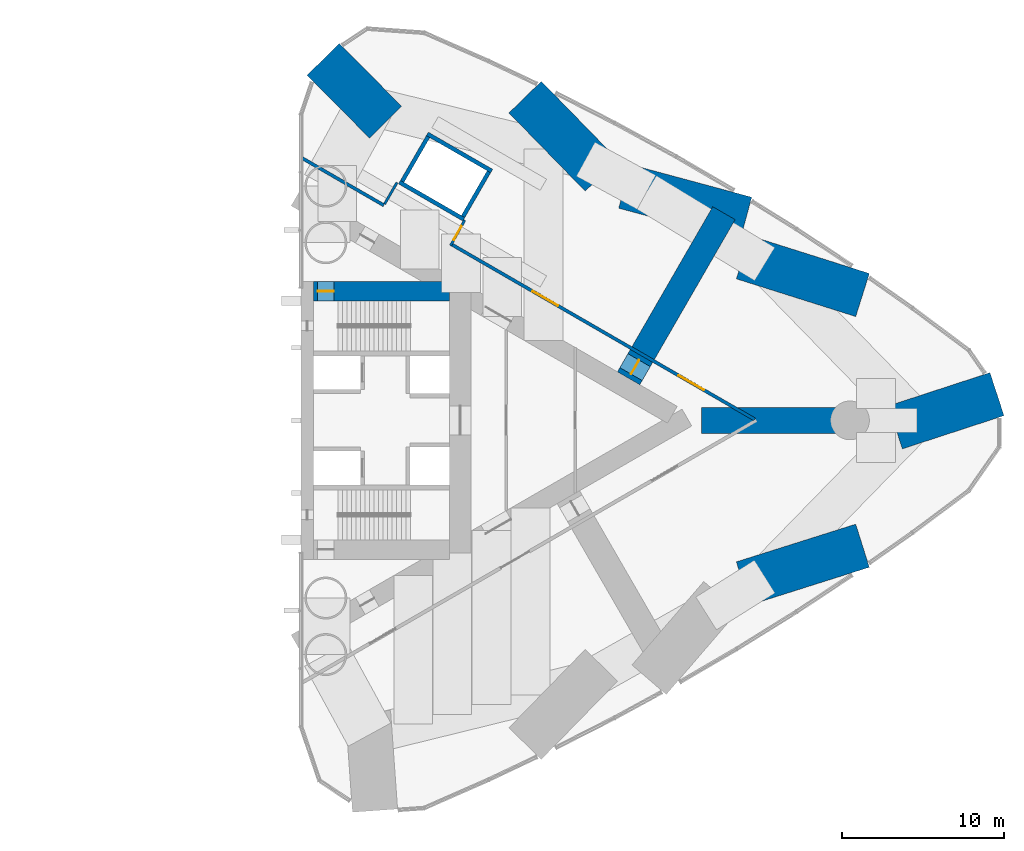
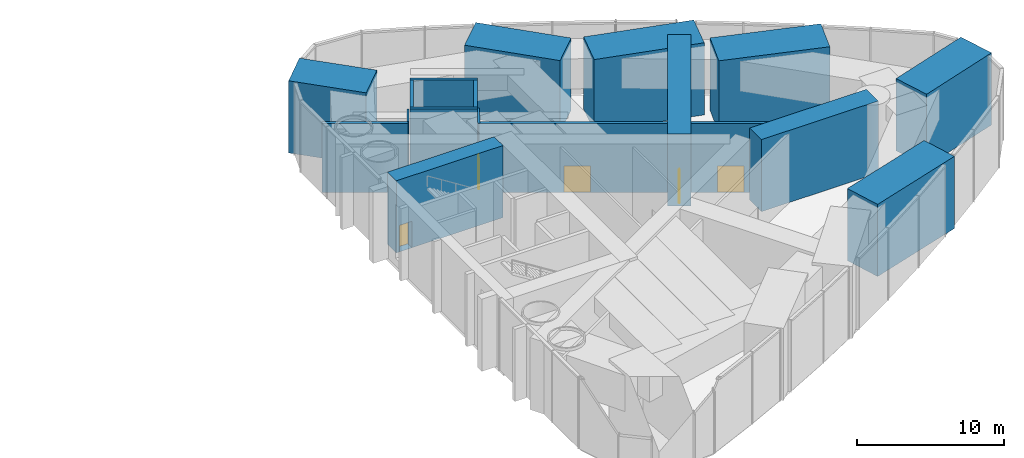
# One storey, part 14 of 16: 17 walls, 5 doors, 5 openings.
"""IFC4 building model written with IfcOpenShell, lengths in metres."""

from ifc_helpers import new_model, si_unit, direction, frame, frame_2d, origin, place, context, subcontext, project, spatial, rectangle, extrude, material, layer, layer_set, type_object, element, fill, save


model = new_model("IFC4")

# Units and contexts
model_context = context("Model", 3, precision=1e-05, world=origin(), true_north=direction((0.0, 1.0)))
body_context = subcontext(model_context, "Body", "Model", "MODEL_VIEW")
ifc_project = project(units=[si_unit("LENGTHUNIT", "METRE"), si_unit("AREAUNIT", "SQUARE_METRE"), si_unit("VOLUMEUNIT", "CUBIC_METRE"), si_unit("PLANEANGLEUNIT", "RADIAN"), si_unit("MASSUNIT", "GRAM", prefix="KILO")], contexts=[model_context])

# Site, building, storey
site_placement = place(None, origin())
site = spatial("IfcSite", under=ifc_project, at=site_placement, CompositionType="ELEMENT")
building_placement = place(site_placement, origin())
building = spatial("IfcBuilding", under=site, at=building_placement, Name="Lancet Gate Hotel", CompositionType="ELEMENT")
storey_placement = place(building_placement, frame((0.0, 0.0, 146.699951171875)))
storey = spatial("IfcBuildingStorey", under=building, at=storey_placement, Name="L39", CompositionType="ELEMENT", Elevation=146.699951171875)

# Wall, opening, door
ifc_material_1 = material(Name="Concrete C70/85", Category="concrete")
ifc_layer_1 = layer(ifc_material_1, 1.199951171875)
ifc_layer_set_1 = layer_set([ifc_layer_1], Name="Core wall 1200")
wall_type_1 = type_object("IfcWallType", Name="Core wall 1200", PredefinedType="SHEAR", material=ifc_layer_set_1)
wall_1_placement = place(storey_placement, frame((28.300048828125, 8.0, 0.0), z_axis=(0.0, 0.0, 1.0), x_axis=(1.0, 0.0, 0.0)))
wall_1 = element("IfcWall", 1, at=wall_1_placement, inside=storey, type_object=wall_type_1, Name="T2 core wall side-N L39", PredefinedType="SHEAR", context=body_context, shape_type="SweptSolid", body=[
    extrude(rectangle(XDim=8.39990234375, YDim=1.199951171875, at=frame_2d((4.199951171875, 0.0))), origin(), (0.0, 0.0, 1.0), 6.0),
])
opening_1_placement = place(wall_1_placement, frame((0.25, 0.0, 0.0)))
opening_1 = element("IfcOpeningElement", 2, at=opening_1_placement, cuts=wall_1, Name="Opening T2-L39-ST2", PredefinedType="OPENING", context=body_context, shape_type="SweptSolid", body=[
    extrude(rectangle(XDim=1.0, YDim=2.199951171875, at=frame_2d((0.5, 1.10009765625))), frame((0.0, 0.60986328125, 0.0), z_axis=(0.0, -1.0, 0.0), x_axis=(1.0, 0.0, 0.0)), (0.0, 0.0, 1.0), 1.219970703125),
])
ifc_material_2 = material(Name="Timber door set", Category="wood")
door_type_1 = type_object("IfcDoorType", Name="Stair door 1000", OperationType="SINGLE_SWING_RIGHT", PredefinedType="DOOR", material=ifc_material_2)
door_1_placement = place(opening_1_placement, origin())
door_1 = element("IfcDoor", 3, at=door_1_placement, inside=storey, type_object=door_type_1, Name="T2-L39-ST2", OperationType="SINGLE_SWING_RIGHT", OverallHeight=2.199951171875, OverallWidth=1.0, PredefinedType="DOOR", context=body_context, shape_type="SweptSolid", body=[
    extrude(rectangle(XDim=1.0, YDim=2.199951171875, at=frame_2d((0.5, 1.10009765625))), frame((0.0, 0.02490234375, 0.0), z_axis=(0.0, -1.0, 0.0), x_axis=(1.0, 0.0, 0.0)), (0.0, 0.0, 1.0), 0.050048828125),
])
fill(opening_1, door_1)

# Wall
ifc_material_3 = material(Name="Gypsum board partition")
ifc_layer_2 = layer(ifc_material_3, 0.199951171875)
ifc_layer_set_2 = layer_set([ifc_layer_2], Name="Corridor wall 200")
wall_type_2 = type_object("IfcWallType", Name="Corridor wall 200", PredefinedType="PARTITIONING", material=ifc_layer_set_2)
wall_2_placement = place(storey_placement, frame((27.572021484375, 16.240966796875, 0.0), z_axis=(0.0, 0.0, 1.0), x_axis=(0.866032814021, -0.499987164874, 0.0)))
element("IfcWall", 4, at=wall_2_placement, inside=storey, type_object=wall_type_2, Name="T2 corridor wall 200 L39", PredefinedType="PARTITIONING", context=body_context, shape_type="SweptSolid", body=[
    extrude(rectangle(XDim=5.854736328125, YDim=0.199951171875, at=frame_2d((2.92724609375, 0.0))), origin(), (0.0, 0.0, 1.0), 5.75),
])

# Wall, openings, doors
wall_3_placement = place(storey_placement, frame((36.833984375, 10.8935546875, 0.0), z_axis=(0.0, 0.0, 1.0), x_axis=(0.866028157229, -0.499995230863, 0.0)))
wall_3 = element("IfcWall", 5, at=wall_3_placement, inside=storey, type_object=wall_type_2, Name="T2 corridor wall 200 L39", PredefinedType="PARTITIONING", context=body_context, shape_type="SweptSolid", body=[
    extrude(rectangle(XDim=21.667236328125, YDim=0.199951171875, at=frame_2d((10.83349609375, 0.0))), origin(), (0.0, 0.0, 1.0), 5.75),
])
opening_2_placement = place(wall_3_placement, frame((16.236083984375, 0.0, 0.0)))
opening_2 = element("IfcOpeningElement", 6, at=opening_2_placement, cuts=wall_3, Name="Opening T2-L39-RB06", PredefinedType="OPENING", context=body_context, shape_type="SweptSolid", body=[
    extrude(rectangle(XDim=1.800048828125, YDim=2.199951171875, at=frame_2d((0.89990234375, 1.10009765625))), frame((0.0, 0.10986328125, 0.0), z_axis=(0.0, -1.0, 0.0), x_axis=(1.0, 0.0, 0.0)), (0.0, 0.0, 1.0), 0.219970703125),
])
opening_3_placement = place(wall_3_placement, frame((5.796142578125, 0.0, 0.0)))
opening_3 = element("IfcOpeningElement", 7, at=opening_3_placement, cuts=wall_3, Name="Opening T2-L39-RB07", PredefinedType="OPENING", context=body_context, shape_type="SweptSolid", body=[
    extrude(rectangle(XDim=1.800048828125, YDim=2.199951171875, at=frame_2d((0.89990234375, 1.10009765625))), frame((0.0, 0.10986328125, 0.0), z_axis=(0.0, -1.0, 0.0), x_axis=(1.0, 0.0, 0.0)), (0.0, 0.0, 1.0), 0.219970703125),
])
ifc_material_4 = material(Name="Timber door set", Category="wood")
door_type_2 = type_object("IfcDoorType", Name="Double door 1800", OperationType="DOUBLE_DOOR_SINGLE_SWING", PredefinedType="DOOR", material=ifc_material_4)
door_2_placement = place(opening_2_placement, origin())
door_2 = element("IfcDoor", 8, at=door_2_placement, inside=storey, type_object=door_type_2, Name="T2-L39-RB06", OperationType="DOUBLE_DOOR_SINGLE_SWING", OverallHeight=2.199951171875, OverallWidth=1.800048828125, PredefinedType="DOOR", context=body_context, shape_type="SweptSolid", body=[
    extrude(rectangle(XDim=1.800048828125, YDim=2.199951171875, at=frame_2d((0.89990234375, 1.10009765625))), frame((0.0, 0.02490234375, 0.0), z_axis=(0.0, -1.0, 0.0), x_axis=(1.0, 0.0, 0.0)), (0.0, 0.0, 1.0), 0.050048828125),
])
fill(opening_2, door_2)
door_3_placement = place(opening_3_placement, origin())
door_3 = element("IfcDoor", 9, at=door_3_placement, inside=storey, type_object=door_type_2, Name="T2-L39-RB07", OperationType="DOUBLE_DOOR_SINGLE_SWING", OverallHeight=2.199951171875, OverallWidth=1.800048828125, PredefinedType="DOOR", context=body_context, shape_type="SweptSolid", body=[
    extrude(rectangle(XDim=1.800048828125, YDim=2.199951171875, at=frame_2d((0.89990234375, 1.10009765625))), frame((0.0, 0.02490234375, 0.0), z_axis=(0.0, -1.0, 0.0), x_axis=(1.0, 0.0, 0.0)), (0.0, 0.0, 1.0), 0.050048828125),
])
fill(opening_3, door_3)

# Walls
ifc_material_5 = material(Name="Gypsum board partition")
ifc_layer_3 = layer(ifc_material_5, 0.25)
ifc_layer_set_3 = layer_set([ifc_layer_3], Name="Lift shaft partition 250")
wall_type_3 = type_object("IfcWallType", Name="Lift shaft partition 250", PredefinedType="PARTITIONING", material=ifc_layer_set_3)
for number, where, z_axis, x_axis, name in (
    (10, (33.6083984375, 14.747314453125, 0.0), (0.0, 0.0, 1.0), (0.866043305498, -0.49996899204, 0.0), "T2 lift shaft wall EX L39"),
    (11, (35.33349609375, 17.73583984375, 0.0), (0.0, 0.0, 1.0), (0.866043305498, -0.49996899204, 0.0), "T2 lift shaft wall EX L39"),
):
    element("IfcWall", number, at=place(storey_placement, frame(where, z_axis=z_axis, x_axis=x_axis)), inside=storey, type_object=wall_type_3, Name=name, PredefinedType="PARTITIONING", context=body_context, shape_type="SweptSolid", body=[
        extrude(rectangle(XDim=4.600341796875, YDim=0.25, at=frame_2d((2.30029296875, 0.0))), origin(), (0.0, 0.0, 1.0), 5.75),
    ])
for number, where, z_axis, x_axis, name in (
    (12, (33.779296875, 14.79296875, 0.0), (0.0, 0.0, 1.0), (0.499929347863, 0.866066190972, 0.0), "T2 lift shaft wall EX L39"),
    (13, (37.546630859375, 12.617919921875, 0.0), (0.0, 0.0, 1.0), (0.499929347863, 0.866066190972, 0.0), "T2 lift shaft wall EX L39"),
):
    element("IfcWall", number, at=place(storey_placement, frame(where, z_axis=z_axis, x_axis=x_axis)), inside=storey, type_object=wall_type_3, Name=name, PredefinedType="PARTITIONING", context=body_context, shape_type="SweptSolid", body=[
        extrude(rectangle(XDim=3.20068359375, YDim=0.25, at=frame_2d((1.600341796875, 0.0))), origin(), (0.0, 0.0, 1.0), 5.75),
    ])
ifc_material_6 = material(Name="Concrete C80/95", Category="concrete")
ifc_layer_4 = layer(ifc_material_6, 1.60009765625)
ifc_layer_set_4 = layer_set([ifc_layer_4], Name="Outrigger wall 1600")
wall_type_4 = type_object("IfcWallType", Name="Outrigger wall 1600", PredefinedType="SHEAR", material=ifc_layer_set_4)
wall_4_placement = place(storey_placement, frame((52.30224609375, 0.0, 0.0), z_axis=(0.0, 0.0, 1.0), x_axis=(1.0, 0.0, 0.0)))
element("IfcWall", 14, at=wall_4_placement, inside=storey, type_object=wall_type_4, Name="T2 outrigger wall CA L39", PredefinedType="SHEAR", context=body_context, shape_type="SweptSolid", body=[
    extrude(rectangle(XDim=9.19775390625, YDim=1.60009765625, at=frame_2d((4.598876953125, 0.0))), origin(), (0.0, 0.0, 1.0), 6.0),
])

# Wall, opening, door
wall_5_placement = place(storey_placement, frame((47.7939453125, 2.602783203125, 0.0), z_axis=(0.0, 0.0, 1.0), x_axis=(0.499993342329, 0.866029247559, 0.0)))
wall_5 = element("IfcWall", 15, at=wall_5_placement, inside=storey, type_object=wall_type_4, Name="T2 outrigger wall ON2 L39", PredefinedType="SHEAR", context=body_context, shape_type="SweptSolid", body=[
    extrude(rectangle(XDim=11.806396484375, YDim=1.60009765625, at=frame_2d((5.9033203125, 0.0))), origin(), (0.0, 0.0, 1.0), 6.0),
])
opening_4_placement = place(wall_5_placement, frame((0.300048828125, 0.0, 0.0)))
opening_4 = element("IfcOpeningElement", 16, at=opening_4_placement, cuts=wall_5, Name="Opening T2-L39-LNO", PredefinedType="OPENING", context=body_context, shape_type="SweptSolid", body=[
    extrude(rectangle(XDim=1.0, YDim=2.199951171875, at=frame_2d((0.5, 1.10009765625))), frame((0.0, 0.81005859375, 0.0), z_axis=(0.0, -1.0, 0.0), x_axis=(1.0, 0.0, 0.0)), (0.0, 0.0, 1.0), 1.6201171875),
])
ifc_material_7 = material(Name="Timber door set", Category="wood")
door_type_3 = type_object("IfcDoorType", Name="Corridor door 1000", OperationType="SINGLE_SWING_LEFT", PredefinedType="DOOR", material=ifc_material_7)
door_4_placement = place(opening_4_placement, origin())
door_4 = element("IfcDoor", 17, at=door_4_placement, inside=storey, type_object=door_type_3, Name="T2-L39-LNO", OperationType="SINGLE_SWING_LEFT", OverallHeight=2.199951171875, OverallWidth=1.0, PredefinedType="DOOR", context=body_context, shape_type="SweptSolid", body=[
    extrude(rectangle(XDim=1.0, YDim=2.199951171875, at=frame_2d((0.5, 1.10009765625))), frame((0.0, 0.02490234375, 0.0), z_axis=(0.0, -1.0, 0.0), x_axis=(1.0, 0.0, 0.0)), (0.0, 0.0, 1.0), 0.050048828125),
])
fill(opening_4, door_4)

# Walls
ifc_material_8 = material(Name="Concrete C80/95", Category="concrete")
ifc_layer_5 = layer(ifc_material_8, 2.800048828125)
ifc_layer_set_5 = layer_set([ifc_layer_5], Name="Radial transfer wall 2800")
wall_type_5 = type_object("IfcWallType", Name="Radial transfer wall 2800", PredefinedType="SHEAR", material=ifc_layer_set_5)
wall_6_placement = place(storey_placement, frame((70.599609375, 1.62158203125, 0.0), z_axis=(0.0, 0.0, 1.0), x_axis=(-0.95049343947, -0.31074462429, 0.0)))
element("IfcWall", 18, at=wall_6_placement, inside=storey, type_object=wall_type_5, Name="T2 radial transfer wall CA L39", PredefinedType="SHEAR", context=body_context, shape_type="SweptSolid", body=[
    extrude(rectangle(XDim=6.618408203125, YDim=2.800048828125, at=frame_2d((3.30908203125, 0.0))), origin(), (0.0, 0.0, 1.0), 6.0),
])
wall_7_placement = place(storey_placement, frame((28.885009765625, 22.34814453125, 0.0), z_axis=(0.0, 0.0, 1.0), x_axis=(0.704941899097, -0.709265055461, 0.0)))
element("IfcWall", 19, at=wall_7_placement, inside=storey, type_object=wall_type_5, Name="T2 radial transfer wall CN L39", PredefinedType="SHEAR", context=body_context, shape_type="SweptSolid", body=[
    extrude(rectangle(XDim=5.477783203125, YDim=2.800048828125, at=frame_2d((2.73876953125, 0.0))), origin(), (0.0, 0.0, 1.0), 6.0),
])
wall_8_placement = place(storey_placement, frame((62.275634765625, 7.759521484375, 0.0), z_axis=(0.0, 0.0, 1.0), x_axis=(-0.953540281048, 0.30126555133, 0.0)))
element("IfcWall", 20, at=wall_8_placement, inside=storey, type_object=wall_type_5, Name="T2 radial transfer wall ON1 L39", PredefinedType="SHEAR", context=body_context, shape_type="SweptSolid", body=[
    extrude(rectangle(XDim=7.749755859375, YDim=2.800048828125, at=frame_2d((3.875, 0.0))), origin(), (0.0, 0.0, 1.0), 6.0),
])
wall_9_placement = place(storey_placement, frame((55.048828125, 12.463134765625, 0.0), z_axis=(0.0, 0.0, 1.0), x_axis=(-0.965562653174, 0.260170641686, 0.0)))
element("IfcWall", 21, at=wall_9_placement, inside=storey, type_object=wall_type_5, Name="T2 radial transfer wall ON2 L39", PredefinedType="SHEAR", context=body_context, shape_type="SweptSolid", body=[
    extrude(rectangle(XDim=7.770751953125, YDim=2.800048828125, at=frame_2d((3.88525390625, 0.0))), origin(), (0.0, 0.0, 1.0), 6.0),
])
wall_10_placement = place(storey_placement, frame((41.388916015625, 20.009521484375, 0.0), z_axis=(0.0, 0.0, 1.0), x_axis=(0.698062666637, -0.716036670463, 0.0)))
element("IfcWall", 22, at=wall_10_placement, inside=storey, type_object=wall_type_5, Name="T2 radial transfer wall ON3 L39", PredefinedType="SHEAR", context=body_context, shape_type="SweptSolid", body=[
    extrude(rectangle(XDim=6.764404296875, YDim=2.800048828125, at=frame_2d((3.38232421875, 0.0))), origin(), (0.0, 0.0, 1.0), 6.0),
])
wall_11_placement = place(storey_placement, frame((62.275634765625, -7.759521484375, 0.0), z_axis=(0.0, 0.0, 1.0), x_axis=(-0.953540281048, -0.30126555133, 0.0)))
element("IfcWall", 23, at=wall_11_placement, inside=storey, type_object=wall_type_5, Name="T2 radial transfer wall OS3 L39", PredefinedType="SHEAR", context=body_context, shape_type="SweptSolid", body=[
    extrude(rectangle(XDim=7.749755859375, YDim=2.800048828125, at=frame_2d((3.875, 0.0))), origin(), (0.0, 0.0, 1.0), 6.0),
])

# Wall, opening, door
ifc_material_9 = material(Name="Gypsum board partition")
ifc_layer_6 = layer(ifc_material_9, 0.14990234375)
ifc_layer_set_6 = layer_set([ifc_layer_6], Name="Service room wall 150")
wall_type_6 = type_object("IfcWallType", Name="Service room wall 150", PredefinedType="PARTITIONING", material=ifc_layer_set_6)
wall_12_placement = place(storey_placement, frame((36.77099609375, 10.814453125, 0.0), z_axis=(0.0, 0.0, 1.0), x_axis=(0.485585508183, 0.874189175317, 0.0)))
wall_12 = element("IfcWall", 24, at=wall_12_placement, inside=storey, type_object=wall_type_6, Name="T2 service room wall 150 L39", PredefinedType="PARTITIONING", context=body_context, shape_type="SweptSolid", body=[
    extrude(rectangle(XDim=1.804931640625, YDim=0.14990234375, at=frame_2d((0.90234375, 0.0))), origin(), (0.0, 0.0, 1.0), 5.75),
])
opening_5_placement = place(wall_12_placement, frame((0.402587890625, 0.0, 0.0)))
opening_5 = element("IfcOpeningElement", 25, at=opening_5_placement, cuts=wall_12, Name="Opening T2-L39-RB08", PredefinedType="OPENING", context=body_context, shape_type="SweptSolid", body=[
    extrude(rectangle(XDim=1.0, YDim=2.199951171875, at=frame_2d((0.5, 1.10009765625))), frame((0.0, 0.0849609375, 0.0), z_axis=(0.0, -1.0, 0.0), x_axis=(1.0, 0.0, 0.0)), (0.0, 0.0, 1.0), 0.169921875),
])
ifc_material_10 = material(Name="Timber door set", Category="wood")
door_type_4 = type_object("IfcDoorType", Name="Service door 1000", OperationType="SINGLE_SWING_LEFT", PredefinedType="DOOR", material=ifc_material_10)
door_5_placement = place(opening_5_placement, origin())
door_5 = element("IfcDoor", 26, at=door_5_placement, inside=storey, type_object=door_type_4, Name="T2-L39-RB08", OperationType="SINGLE_SWING_LEFT", OverallHeight=2.199951171875, OverallWidth=1.0, PredefinedType="DOOR", context=body_context, shape_type="SweptSolid", body=[
    extrude(rectangle(XDim=1.0, YDim=2.199951171875, at=frame_2d((0.5, 1.10009765625))), frame((0.0, 0.02490234375, 0.0), z_axis=(0.0, -1.0, 0.0), x_axis=(1.0, 0.0, 0.0)), (0.0, 0.0, 1.0), 0.050048828125),
])
fill(opening_5, door_5)

# Wall
wall_13_placement = place(storey_placement, frame((32.6923828125, 13.400390625, 0.0), z_axis=(0.0, 0.0, 1.0), x_axis=(0.499985008713, 0.866034058835, 0.0)))
element("IfcWall", 27, at=wall_13_placement, inside=storey, type_object=wall_type_6, Name="T2 service room wall 150 L39", PredefinedType="PARTITIONING", context=body_context, shape_type="SweptSolid", body=[
    extrude(rectangle(XDim=1.529296875, YDim=0.14990234375, at=frame_2d((0.7646484375, 0.0))), origin(), (0.0, 0.0, 1.0), 5.75),
])

save(model, "model.ifc")
